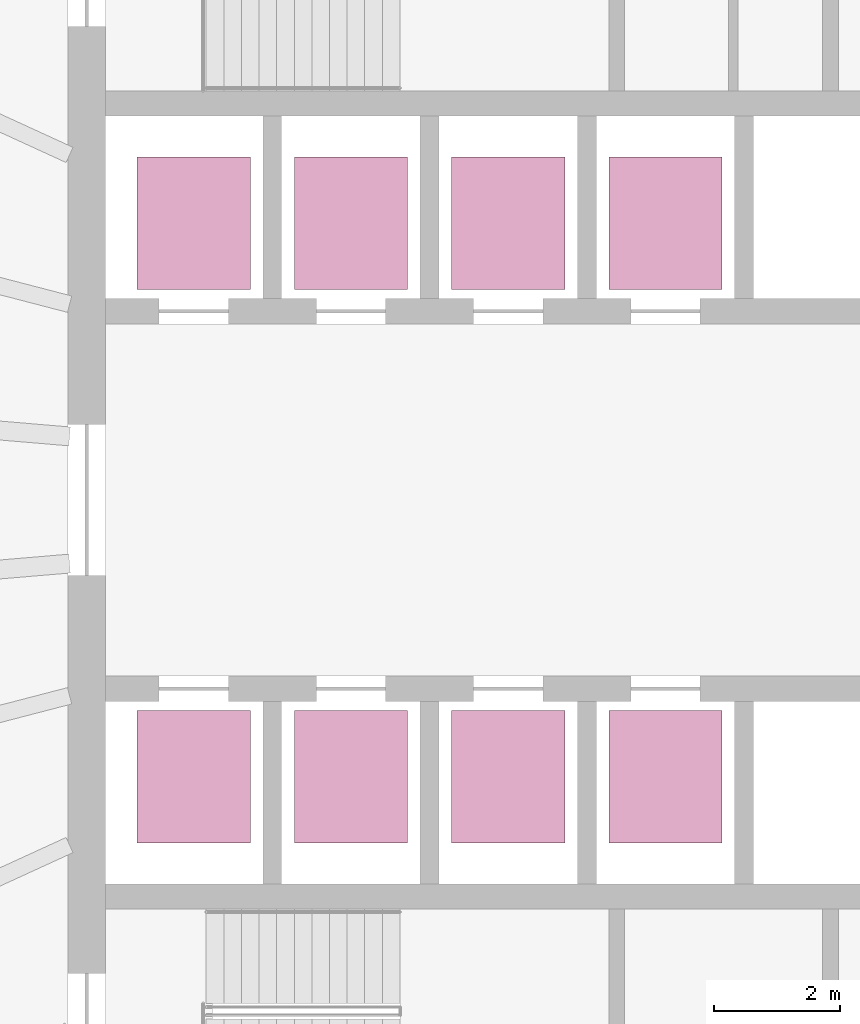
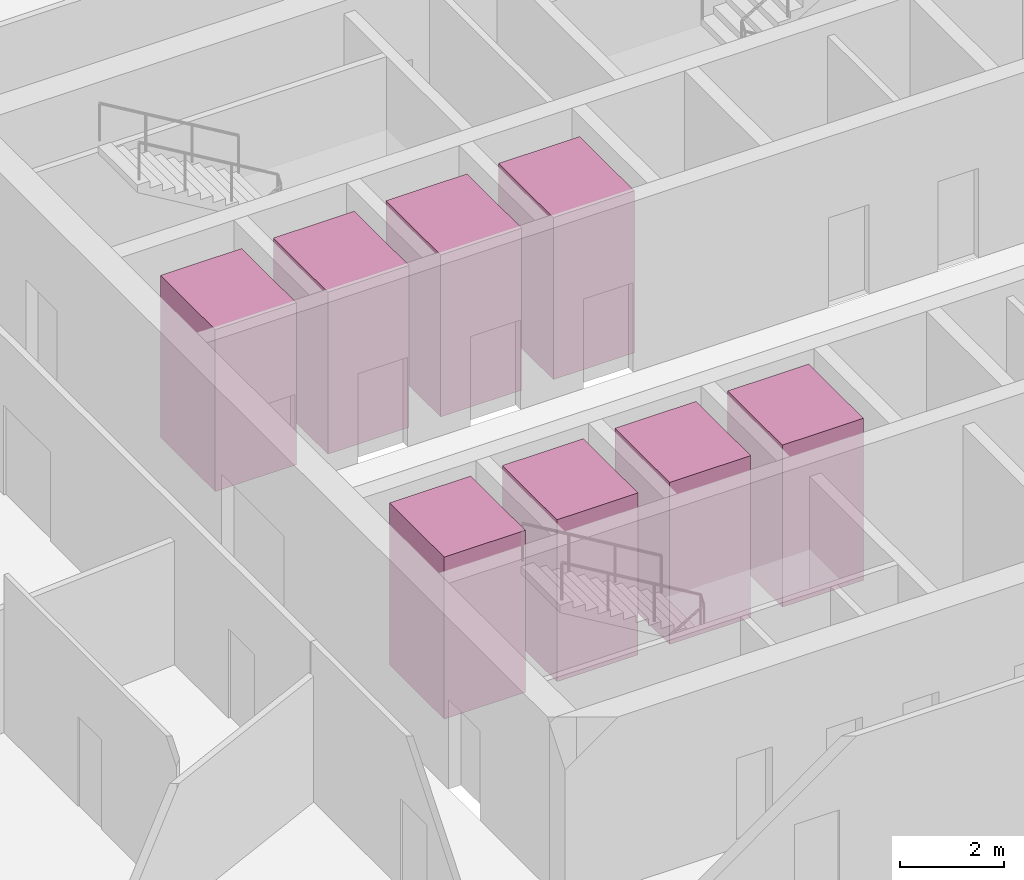
# One storey, part 11 of 11: 8 transport elements.
"""IFC4 building model written with IfcOpenShell, lengths in metres."""

from ifc_helpers import new_model, si_unit, direction, frame, origin, origin_2d, place, context, subcontext, project, spatial, rectangle, extrude, material, type_object, element, save


model = new_model("IFC4")

# Units and contexts
model_context = context("Model", 3, precision=1e-05, world=origin(), true_north=direction((0.0, 1.0)))
body_context = subcontext(model_context, "Body", "Model", "MODEL_VIEW")
ifc_project = project(units=[si_unit("LENGTHUNIT", "METRE"), si_unit("AREAUNIT", "SQUARE_METRE"), si_unit("VOLUMEUNIT", "CUBIC_METRE"), si_unit("PLANEANGLEUNIT", "RADIAN"), si_unit("MASSUNIT", "GRAM", prefix="KILO")], contexts=[model_context])

# Site, building, storey
site_placement = place(None, origin())
site = spatial("IfcSite", under=ifc_project, at=site_placement, CompositionType="ELEMENT")
building_placement = place(site_placement, origin())
building = spatial("IfcBuilding", under=site, at=building_placement, Name="Halqa Exchange Tower", CompositionType="ELEMENT")
storey_placement = place(building_placement, frame((0.0, 0.0, 230.89990234375)))
storey = spatial("IfcBuildingStorey", under=building, at=storey_placement, Name="L53", CompositionType="ELEMENT", Elevation=230.89990234375)

# Transport elements
ifc_material = material(Name="Stainless steel", Category="steel")
transport_element_type_1 = type_object("IfcTransportElementType", Name="High-rise passenger lift 1800 x 2100", PredefinedType="ELEVATOR", material=ifc_material)
for number, where, z_axis, x_axis, name in (
    (1, (-10.0, 4.39990234375, 0.0), (0.0, 0.0, 1.0), (1.0, 0.0, 0.0), "High-rise passenger lift HR1"),
    (2, (-7.5, 4.39990234375, 0.0), (0.0, 0.0, 1.0), (1.0, 0.0, 0.0), "High-rise passenger lift HR2"),
    (3, (-10.0, -4.39990234375, 0.0), (0.0, 0.0, 1.0), (1.0, 0.0, 0.0), "High-rise passenger lift HR3"),
    (4, (-7.5, -4.39990234375, 0.0), (0.0, 0.0, 1.0), (1.0, 0.0, 0.0), "High-rise passenger lift HR4"),
):
    element("IfcTransportElement", number, at=place(storey_placement, frame(where, z_axis=z_axis, x_axis=x_axis)), inside=storey, type_object=transport_element_type_1, Name=name, PredefinedType="ELEVATOR", context=body_context, shape_type="SweptSolid", body=[
        extrude(rectangle(XDim=1.800048828125, YDim=2.10009765625, at=origin_2d()), origin(), (0.0, 0.0, 1.0), 3.800048828125),
    ])
transport_element_type_2 = type_object("IfcTransportElementType", Name="Mid-rise passenger lift 1800 x 2100", PredefinedType="ELEVATOR", material=ifc_material)
for number, where, z_axis, x_axis, name in (
    (5, (-5.0, 4.39990234375, 0.0), (0.0, 0.0, 1.0), (1.0, 0.0, 0.0), "Mid-rise passenger lift MR1"),
    (6, (-2.5, 4.39990234375, 0.0), (0.0, 0.0, 1.0), (1.0, 0.0, 0.0), "Mid-rise passenger lift MR2"),
    (7, (-5.0, -4.39990234375, 0.0), (0.0, 0.0, 1.0), (1.0, 0.0, 0.0), "Mid-rise passenger lift MR3"),
    (8, (-2.5, -4.39990234375, 0.0), (0.0, 0.0, 1.0), (1.0, 0.0, 0.0), "Mid-rise passenger lift MR4"),
):
    element("IfcTransportElement", number, at=place(storey_placement, frame(where, z_axis=z_axis, x_axis=x_axis)), inside=storey, type_object=transport_element_type_2, Name=name, PredefinedType="ELEVATOR", context=body_context, shape_type="SweptSolid", body=[
        extrude(rectangle(XDim=1.800048828125, YDim=2.10009765625, at=origin_2d()), origin(), (0.0, 0.0, 1.0), 3.800048828125),
    ])

save(model, "model.ifc")
